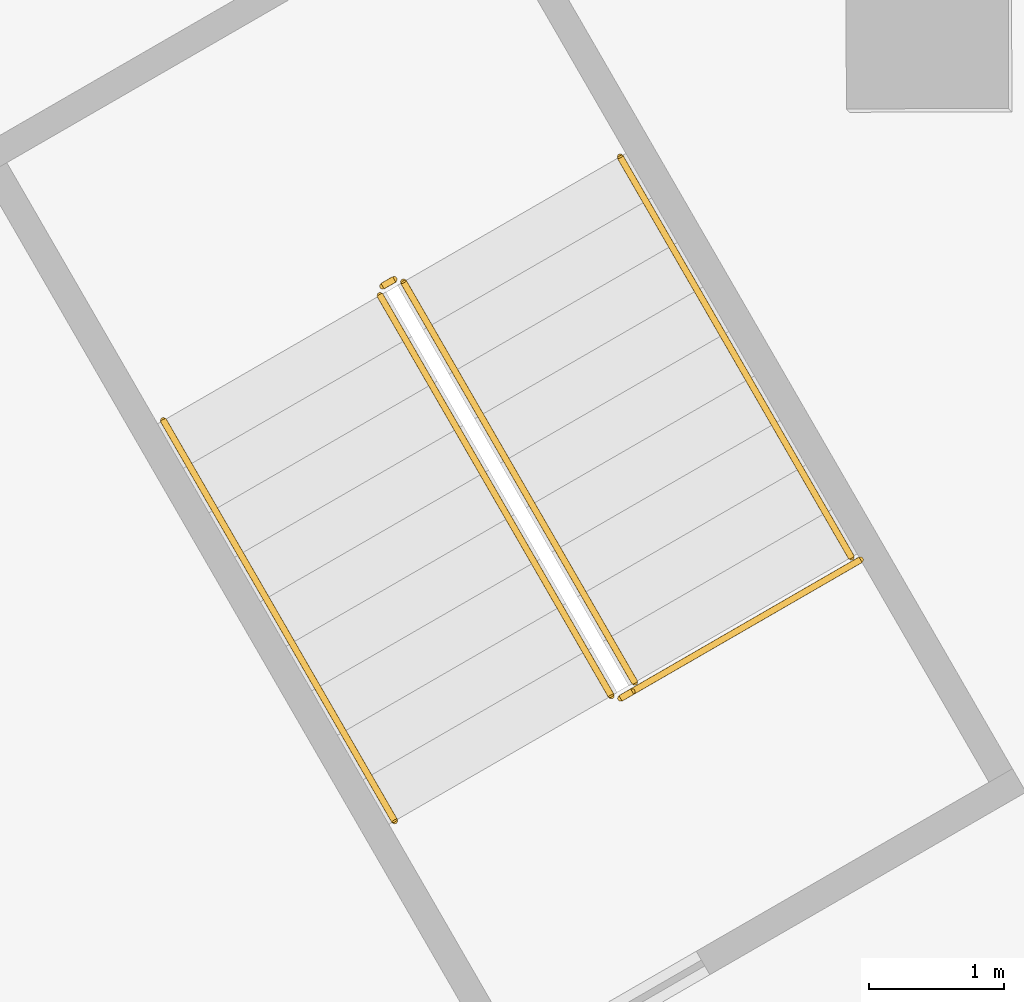
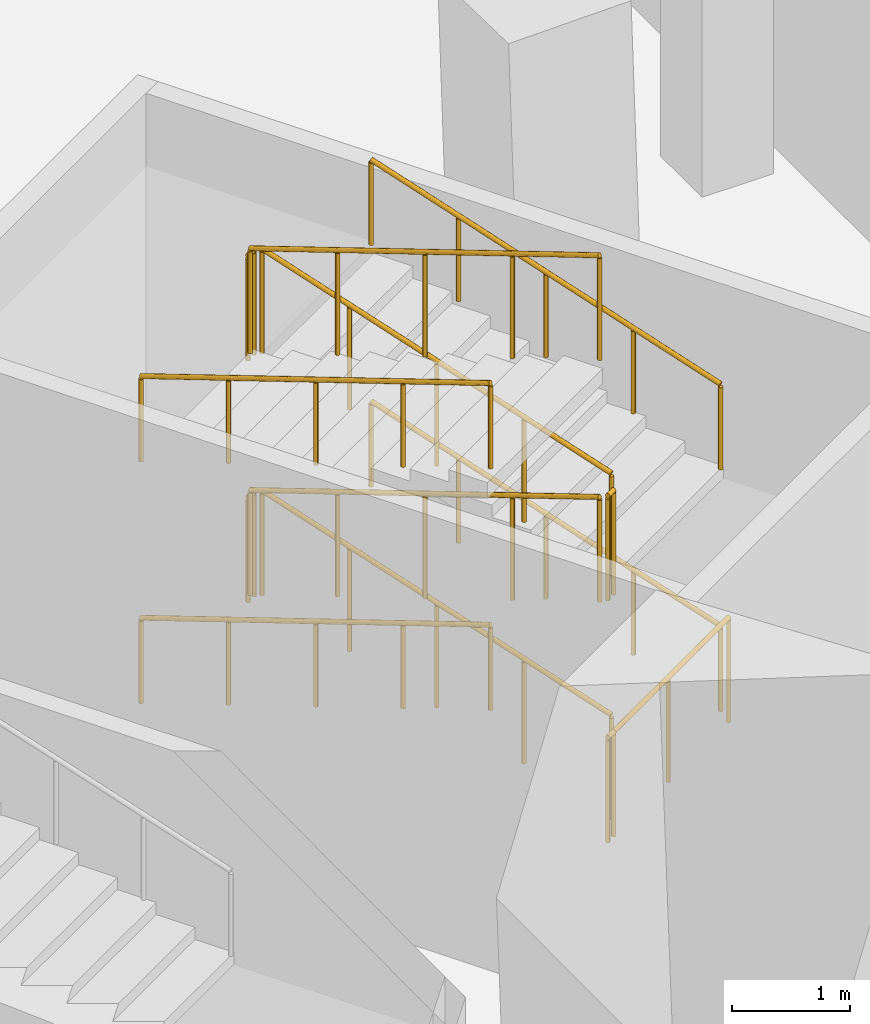
# One storey, part 25 of 36: 13 railings.
"""IFC4 building model written with IfcOpenShell, lengths in metres."""

from ifc_helpers import new_model, si_unit, direction, frame, origin, origin_2d, place, context, subcontext, project, spatial, circle, extrude, material, type_object, element, save


model = new_model("IFC4")

# Units and contexts
model_context = context("Model", 3, precision=1e-05, world=origin(), true_north=direction((0.0, 1.0)))
body_context = subcontext(model_context, "Body", "Model", "MODEL_VIEW")
ifc_project = project(units=[si_unit("LENGTHUNIT", "METRE"), si_unit("AREAUNIT", "SQUARE_METRE"), si_unit("VOLUMEUNIT", "CUBIC_METRE"), si_unit("PLANEANGLEUNIT", "RADIAN"), si_unit("MASSUNIT", "GRAM", prefix="KILO")], contexts=[model_context])

# Site, building, storey
site_placement = place(None, origin())
site = spatial("IfcSite", under=ifc_project, at=site_placement, CompositionType="ELEMENT")
building_placement = place(site_placement, origin())
building = spatial("IfcBuilding", under=site, at=building_placement, Name="Jabali Bay Hotel Tower and Convention Centre", CompositionType="ELEMENT")
storey_placement = place(building_placement, frame((0.0, 0.0, 20.39990234375)))
storey = spatial("IfcBuildingStorey", under=building, at=storey_placement, Name="L03", CompositionType="ELEMENT", Elevation=20.39990234375)

# Railings
ifc_material = material(Name="Steel Q355B", Category="steel")
railing_type_1 = type_object("IfcRailingType", Name="Stair guard 1100", PredefinedType="GUARDRAIL", material=ifc_material)
railing_1_placement = place(storey_placement, frame((98.72607421875, 51.205322265625, 0.0)))
element("IfcRailing", 1, at=railing_1_placement, inside=storey, type_object=railing_type_1, Name="L03 PS5 top well guard 1", PredefinedType="GUARDRAIL", context=body_context, shape_type="SweptSolid", body=[
    extrude(circle(Radius=0.02392578125, at=origin_2d()), frame((0.0, 0.0, 1.076171875), z_axis=(-0.865999163574, -0.500045446624, 0.0), x_axis=(0.500045446624, -0.865999163574, 0.0)), (0.0, 0.0, 1.0), 2.050048828125),
    extrude(circle(Radius=0.02099609375, at=origin_2d()), origin(), (0.0, 0.0, 1.0), 1.052001953125),
    extrude(circle(Radius=0.02099609375, at=origin_2d()), frame((-0.8876953125, -0.5126953125, 0.0)), (0.0, 0.0, 1.0), 1.052001953125),
    extrude(circle(Radius=0.02099609375, at=origin_2d()), frame((-1.775390625, -1.025146484375, 0.0)), (0.0, 0.0, 1.0), 1.052001953125),
])
railing_2_placement = place(storey_placement, frame((97.0556640625, 50.298583984375, 0.125)))
element("IfcRailing", 2, at=railing_2_placement, inside=storey, type_object=railing_type_1, Name="L03 PS5 stair guard 1", PredefinedType="GUARDRAIL", context=body_context, shape_type="SweptSolid", body=[
    extrude(circle(Radius=0.02392578125, at=origin_2d()), frame((0.0, 0.0, 1.076171875), z_axis=(-0.474969356874, 0.822651808715, 0.312486978366), x_axis=(-0.866020337685, -0.500008774639, 0.0)), (0.0, 0.0, 1.0), 3.60009765625),
    extrude(circle(Radius=0.02099609375, at=origin_2d()), origin(), (0.0, 0.0, 1.0), 1.052001953125),
    extrude(circle(Radius=0.02099609375, at=origin_2d()), frame((-0.427490234375, 0.740478515625, 0.28125)), (0.0, 0.0, 1.0), 1.052001953125),
    extrude(circle(Radius=0.02099609375, at=origin_2d()), frame((-0.85498046875, 1.48095703125, 0.5625)), (0.0, 0.0, 1.0), 1.052001953125),
    extrude(circle(Radius=0.02099609375, at=origin_2d()), frame((-1.282470703125, 2.22119140625, 0.84375)), (0.0, 0.0, 1.0), 1.052001953125),
    extrude(circle(Radius=0.02099609375, at=origin_2d()), frame((-1.7099609375, 2.961669921875, 1.125)), (0.0, 0.0, 1.0), 1.052001953125),
])
railing_3_placement = place(storey_placement, frame((95.27734375, 53.278564453125, 1.25)))
element("IfcRailing", 3, at=railing_3_placement, inside=storey, type_object=railing_type_1, Name="L03 PS5 stair guard 2", PredefinedType="GUARDRAIL", context=body_context, shape_type="SweptSolid", body=[
    extrude(circle(Radius=0.02392578125, at=origin_2d()), frame((0.0, 0.0, 1.076171875), z_axis=(-0.867038199201, -0.4982416694, 0.0), x_axis=(0.4982416694, -0.867038199201, 0.0)), (0.0, 0.0, 1.0), 0.099853515625),
    extrude(circle(Radius=0.02099609375, at=origin_2d()), origin(), (0.0, 0.0, 1.0), 1.052001953125),
    extrude(circle(Radius=0.02099609375, at=origin_2d()), frame((-0.086669921875, -0.0498046875, 0.0)), (0.0, 0.0, 1.0), 1.052001953125),
])
railing_4_placement = place(storey_placement, frame((95.17236328125, 53.160400390625, 1.375)))
element("IfcRailing", 4, at=railing_4_placement, inside=storey, type_object=railing_type_1, Name="L03 PS5 stair guard 3", PredefinedType="GUARDRAIL", context=body_context, shape_type="SweptSolid", body=[
    extrude(circle(Radius=0.02392578125, at=origin_2d()), frame((0.0, 0.0, 1.076171875), z_axis=(0.474942860731, -0.822673727354, 0.312469546295), x_axis=(0.866038183914, 0.499977863513, 0.0)), (0.0, 0.0, 1.0), 3.600341796875),
    extrude(circle(Radius=0.02099609375, at=origin_2d()), origin(), (0.0, 0.0, 1.0), 1.052001953125),
    extrude(circle(Radius=0.02099609375, at=origin_2d()), frame((0.427490234375, -0.740478515625, 0.28125)), (0.0, 0.0, 1.0), 1.052001953125),
    extrude(circle(Radius=0.02099609375, at=origin_2d()), frame((0.85498046875, -1.48095703125, 0.5625)), (0.0, 0.0, 1.0), 1.052001953125),
    extrude(circle(Radius=0.02099609375, at=origin_2d()), frame((1.282470703125, -2.221435546875, 0.84375)), (0.0, 0.0, 1.0), 1.052001953125),
    extrude(circle(Radius=0.02099609375, at=origin_2d()), frame((1.7099609375, -2.9619140625, 1.125)), (0.0, 0.0, 1.0), 1.052001953125),
])
railing_5_placement = place(storey_placement, frame((97.037353515625, 50.230224609375, 2.5)))
element("IfcRailing", 5, at=railing_5_placement, inside=storey, type_object=railing_type_1, Name="L03 PS5 stair guard 4", PredefinedType="GUARDRAIL", context=body_context, shape_type="SweptSolid", body=[
    extrude(circle(Radius=0.02392578125, at=origin_2d()), frame((0.0, 0.0, 1.076171875), z_axis=(-0.865982457891, -0.500074377092, 0.0), x_axis=(0.500074377092, -0.865982457891, 0.0)), (0.0, 0.0, 1.0), 0.10009765625),
    extrude(circle(Radius=0.02099609375, at=origin_2d()), origin(), (0.0, 0.0, 1.0), 1.052001953125),
    extrude(circle(Radius=0.02099609375, at=origin_2d()), frame((-0.086669921875, -0.050048828125, 0.0)), (0.0, 0.0, 1.0), 1.052001953125),
])
railing_6_placement = place(storey_placement, frame((97.0556640625, 50.298583984375, 2.625)))
element("IfcRailing", 6, at=railing_6_placement, inside=storey, type_object=railing_type_1, Name="L03 PS5 stair guard 5", PredefinedType="GUARDRAIL", context=body_context, shape_type="SweptSolid", body=[
    extrude(circle(Radius=0.02392578125, at=origin_2d()), frame((0.0, 0.0, 1.076171875), z_axis=(-0.474969356874, 0.822651808715, 0.312486978366), x_axis=(-0.866020337685, -0.500008774639, 0.0)), (0.0, 0.0, 1.0), 3.60009765625),
    extrude(circle(Radius=0.02099609375, at=origin_2d()), origin(), (0.0, 0.0, 1.0), 1.052001953125),
    extrude(circle(Radius=0.02099609375, at=origin_2d()), frame((-0.427490234375, 0.740478515625, 0.28125)), (0.0, 0.0, 1.0), 1.052001953125),
    extrude(circle(Radius=0.02099609375, at=origin_2d()), frame((-0.85498046875, 1.48095703125, 0.5625)), (0.0, 0.0, 1.0), 1.052001953125),
    extrude(circle(Radius=0.02099609375, at=origin_2d()), frame((-1.282470703125, 2.22119140625, 0.84375)), (0.0, 0.0, 1.0), 1.052001953125),
    extrude(circle(Radius=0.02099609375, at=origin_2d()), frame((-1.7099609375, 2.961669921875, 1.125)), (0.0, 0.0, 1.0), 1.052001953125),
])
railing_7_placement = place(storey_placement, frame((95.27734375, 53.278564453125, 3.75)))
element("IfcRailing", 7, at=railing_7_placement, inside=storey, type_object=railing_type_1, Name="L03 PS5 stair guard 6", PredefinedType="GUARDRAIL", context=body_context, shape_type="SweptSolid", body=[
    extrude(circle(Radius=0.02392578125, at=origin_2d()), frame((0.0, 0.0, 1.076171875), z_axis=(-0.867038199201, -0.4982416694, 0.0), x_axis=(0.4982416694, -0.867038199201, 0.0)), (0.0, 0.0, 1.0), 0.099853515625),
    extrude(circle(Radius=0.02099609375, at=origin_2d()), origin(), (0.0, 0.0, 1.0), 1.052001953125),
    extrude(circle(Radius=0.02099609375, at=origin_2d()), frame((-0.086669921875, -0.0498046875, 0.0)), (0.0, 0.0, 1.0), 1.052001953125),
])
railing_8_placement = place(storey_placement, frame((95.17236328125, 53.160400390625, 3.875)))
element("IfcRailing", 8, at=railing_8_placement, inside=storey, type_object=railing_type_1, Name="L03 PS5 stair guard 7", PredefinedType="GUARDRAIL", context=body_context, shape_type="SweptSolid", body=[
    extrude(circle(Radius=0.02392578125, at=origin_2d()), frame((0.0, 0.0, 1.076171875), z_axis=(0.474942860731, -0.822673727354, 0.312469546295), x_axis=(0.866038183914, 0.499977863513, 0.0)), (0.0, 0.0, 1.0), 3.600341796875),
    extrude(circle(Radius=0.02099609375, at=origin_2d()), origin(), (0.0, 0.0, 1.0), 1.052001953125),
    extrude(circle(Radius=0.02099609375, at=origin_2d()), frame((0.427490234375, -0.740478515625, 0.28125)), (0.0, 0.0, 1.0), 1.052001953125),
    extrude(circle(Radius=0.02099609375, at=origin_2d()), frame((0.85498046875, -1.48095703125, 0.5625)), (0.0, 0.0, 1.0), 1.052001953125),
    extrude(circle(Radius=0.02099609375, at=origin_2d()), frame((1.282470703125, -2.221435546875, 0.84375)), (0.0, 0.0, 1.0), 1.052001953125),
    extrude(circle(Radius=0.02099609375, at=origin_2d()), frame((1.7099609375, -2.9619140625, 1.125)), (0.0, 0.0, 1.0), 1.052001953125),
])
railing_9_placement = place(storey_placement, frame((97.037353515625, 50.230224609375, 0.0)))
element("IfcRailing", 9, at=railing_9_placement, inside=storey, type_object=railing_type_1, Name="L03 PS5 stair guard 8", PredefinedType="GUARDRAIL", context=body_context, shape_type="SweptSolid", body=[
    extrude(circle(Radius=0.02392578125, at=origin_2d()), frame((0.0, 0.0, 1.076171875), z_axis=(-0.865982457891, -0.500074377092, 0.0), x_axis=(0.500074377092, -0.865982457891, 0.0)), (0.0, 0.0, 1.0), 0.10009765625),
    extrude(circle(Radius=0.02099609375, at=origin_2d()), origin(), (0.0, 0.0, 1.0), 1.052001953125),
    extrude(circle(Radius=0.02099609375, at=origin_2d()), frame((-0.086669921875, -0.050048828125, 0.0)), (0.0, 0.0, 1.0), 1.052001953125),
])
railing_type_2 = type_object("IfcRailingType", Name="Stair handrail 900", PredefinedType="HANDRAIL", material=ifc_material)
railing_10_placement = place(storey_placement, frame((98.65771484375, 51.2236328125, 0.125)))
element("IfcRailing", 10, at=railing_10_placement, inside=storey, type_object=railing_type_2, Name="L03 PS5 stair handrail 1", PredefinedType="HANDRAIL", context=body_context, shape_type="SweptSolid", body=[
    extrude(circle(Radius=0.02392578125, at=origin_2d()), frame((0.0, 0.0, 0.8759765625), z_axis=(-0.474969356874, 0.822651808715, 0.312486978366), x_axis=(-0.866020337685, -0.500008774639, 0.0)), (0.0, 0.0, 1.0), 3.60009765625),
    extrude(circle(Radius=0.02099609375, at=origin_2d()), origin(), (0.0, 0.0, 1.0), 0.851806640625),
    extrude(circle(Radius=0.02099609375, at=origin_2d()), frame((-0.427490234375, 0.740478515625, 0.28125)), (0.0, 0.0, 1.0), 0.851806640625),
    extrude(circle(Radius=0.02099609375, at=origin_2d()), frame((-0.85498046875, 1.48095703125, 0.5625)), (0.0, 0.0, 1.0), 0.851806640625),
    extrude(circle(Radius=0.02099609375, at=origin_2d()), frame((-1.282470703125, 2.22119140625, 0.84375)), (0.0, 0.0, 1.0), 0.851806640625),
    extrude(circle(Radius=0.02099609375, at=origin_2d()), frame((-1.7099609375, 2.961669921875, 1.125)), (0.0, 0.0, 1.0), 0.851806640625),
])
railing_11_placement = place(storey_placement, frame((93.5703125, 52.2353515625, 1.375)))
element("IfcRailing", 11, at=railing_11_placement, inside=storey, type_object=railing_type_2, Name="L03 PS5 stair handrail 2", PredefinedType="HANDRAIL", context=body_context, shape_type="SweptSolid", body=[
    extrude(circle(Radius=0.02392578125, at=origin_2d()), frame((0.0, 0.0, 0.8759765625), z_axis=(0.474969356874, -0.822651808715, 0.312486978366), x_axis=(0.866020337685, 0.500008774639, 0.0)), (0.0, 0.0, 1.0), 3.60009765625),
    extrude(circle(Radius=0.02099609375, at=origin_2d()), origin(), (0.0, 0.0, 1.0), 0.851806640625),
    extrude(circle(Radius=0.02099609375, at=origin_2d()), frame((0.427490234375, -0.740478515625, 0.28125)), (0.0, 0.0, 1.0), 0.851806640625),
    extrude(circle(Radius=0.02099609375, at=origin_2d()), frame((0.85498046875, -1.48095703125, 0.5625)), (0.0, 0.0, 1.0), 0.851806640625),
    extrude(circle(Radius=0.02099609375, at=origin_2d()), frame((1.282470703125, -2.22119140625, 0.84375)), (0.0, 0.0, 1.0), 0.851806640625),
    extrude(circle(Radius=0.02099609375, at=origin_2d()), frame((1.7099609375, -2.961669921875, 1.125)), (0.0, 0.0, 1.0), 0.851806640625),
])
railing_12_placement = place(storey_placement, frame((98.65771484375, 51.2236328125, 2.625)))
element("IfcRailing", 12, at=railing_12_placement, inside=storey, type_object=railing_type_2, Name="L03 PS5 stair handrail 3", PredefinedType="HANDRAIL", context=body_context, shape_type="SweptSolid", body=[
    extrude(circle(Radius=0.02392578125, at=origin_2d()), frame((0.0, 0.0, 0.8759765625), z_axis=(-0.474969356874, 0.822651808715, 0.312486978366), x_axis=(-0.866020337685, -0.500008774639, 0.0)), (0.0, 0.0, 1.0), 3.60009765625),
    extrude(circle(Radius=0.02099609375, at=origin_2d()), origin(), (0.0, 0.0, 1.0), 0.851806640625),
    extrude(circle(Radius=0.02099609375, at=origin_2d()), frame((-0.427490234375, 0.740478515625, 0.28125)), (0.0, 0.0, 1.0), 0.851806640625),
    extrude(circle(Radius=0.02099609375, at=origin_2d()), frame((-0.85498046875, 1.48095703125, 0.5625)), (0.0, 0.0, 1.0), 0.851806640625),
    extrude(circle(Radius=0.02099609375, at=origin_2d()), frame((-1.282470703125, 2.22119140625, 0.84375)), (0.0, 0.0, 1.0), 0.851806640625),
    extrude(circle(Radius=0.02099609375, at=origin_2d()), frame((-1.7099609375, 2.961669921875, 1.125)), (0.0, 0.0, 1.0), 0.851806640625),
])
railing_13_placement = place(storey_placement, frame((93.5703125, 52.2353515625, 3.875)))
element("IfcRailing", 13, at=railing_13_placement, inside=storey, type_object=railing_type_2, Name="L03 PS5 stair handrail 4", PredefinedType="HANDRAIL", context=body_context, shape_type="SweptSolid", body=[
    extrude(circle(Radius=0.02392578125, at=origin_2d()), frame((0.0, 0.0, 0.8759765625), z_axis=(0.474969356874, -0.822651808715, 0.312486978366), x_axis=(0.866020337685, 0.500008774639, 0.0)), (0.0, 0.0, 1.0), 3.60009765625),
    extrude(circle(Radius=0.02099609375, at=origin_2d()), origin(), (0.0, 0.0, 1.0), 0.851806640625),
    extrude(circle(Radius=0.02099609375, at=origin_2d()), frame((0.427490234375, -0.740478515625, 0.28125)), (0.0, 0.0, 1.0), 0.851806640625),
    extrude(circle(Radius=0.02099609375, at=origin_2d()), frame((0.85498046875, -1.48095703125, 0.5625)), (0.0, 0.0, 1.0), 0.851806640625),
    extrude(circle(Radius=0.02099609375, at=origin_2d()), frame((1.282470703125, -2.22119140625, 0.84375)), (0.0, 0.0, 1.0), 0.851806640625),
    extrude(circle(Radius=0.02099609375, at=origin_2d()), frame((1.7099609375, -2.961669921875, 1.125)), (0.0, 0.0, 1.0), 0.851806640625),
])

save(model, "model.ifc")
